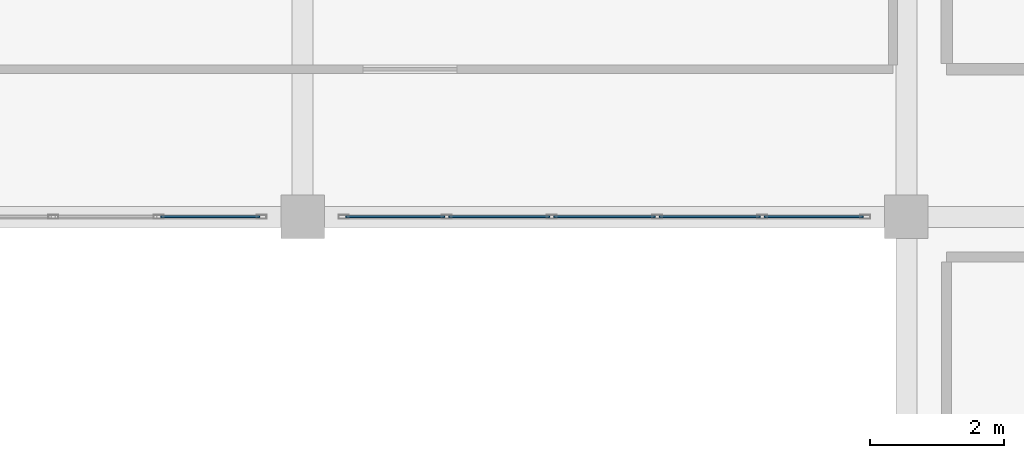
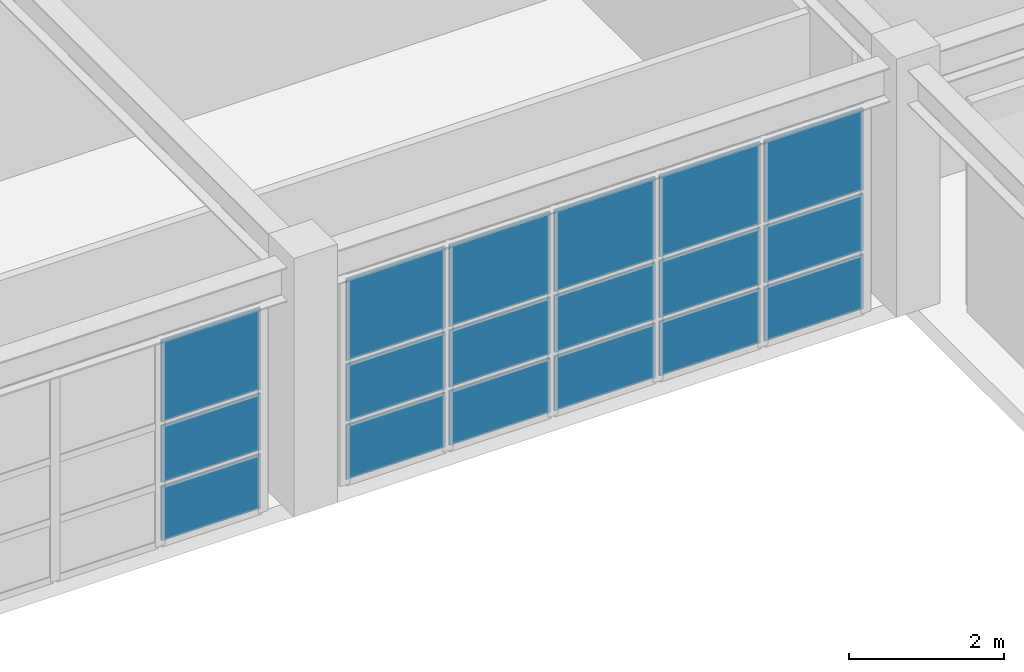
# One storey, part 99 of 130: 18 plates, 2 elements without a shape of their own.
"""IFC4 building model written with IfcOpenShell, lengths in metres."""

from ifc_helpers import new_model, si_unit, direction, frame, origin, origin_2d, place, context, subcontext, project, spatial, rectangle, extrude, material, layer, layer_set, type_object, element, aggregate, save


model = new_model("IFC4")

# Units and contexts
model_context = context("Model", 3, precision=1e-05, world=origin(), true_north=direction((0.0, 1.0)))
body_context = subcontext(model_context, "Body", "Model", "MODEL_VIEW")
ifc_project = project(units=[si_unit("LENGTHUNIT", "METRE"), si_unit("AREAUNIT", "SQUARE_METRE"), si_unit("VOLUMEUNIT", "CUBIC_METRE"), si_unit("PLANEANGLEUNIT", "RADIAN"), si_unit("MASSUNIT", "GRAM", prefix="KILO")], contexts=[model_context])

# Site, building, storey
site_placement = place(None, origin())
site = spatial("IfcSite", under=ifc_project, at=site_placement, CompositionType="ELEMENT")
building_placement = place(site_placement, origin())
building = spatial("IfcBuilding", under=site, at=building_placement, Name="Miravela Opera House", CompositionType="ELEMENT")
storey_placement = place(building_placement, frame((0.0, 0.0, 9.52001953125)))
storey = spatial("IfcBuildingStorey", under=building, at=storey_placement, Name="L02", CompositionType="ELEMENT", Elevation=9.52001953125)

# Curtain wall, plates
ifc_material_1 = material(Name="Anodised architectural bronze aluminium 6063-T6", Category="aluminium")
curtain_wall_type = type_object("IfcCurtainWallType", Name="ARC-CW-05", PredefinedType="NOTDEFINED", material=ifc_material_1)
curtain_wall_1_placement = place(storey_placement, origin())
curtain_wall_1 = element("IfcCurtainWall", 1, at=curtain_wall_1_placement, inside=storey, type_object=curtain_wall_type, Name="Courtyard Arcade Curtain Wall CW-L02-185", PredefinedType="NOTDEFINED")
ifc_material_2 = material(Name="Acoustic laminated low-E insulating glass", Category="glass")
ifc_layer = layer(ifc_material_2, 0.028076171875)
ifc_layer_set = layer_set([ifc_layer])
plate_type = type_object("IfcPlateType", Name="ARC-CWP-28", PredefinedType="CURTAIN_PANEL", material=ifc_layer_set)
plate_1_placement = place(storey_placement, frame((133.62109375, 103.0, 0.06005859375), z_axis=(0.0, 0.0, 1.0), x_axis=(1.0, 0.0, 0.0)))
plate_1 = element("IfcPlate", 2, at=plate_1_placement, type_object=plate_type, Name="CW-05 panel 5.1", PredefinedType="CURTAIN_PANEL", context=body_context, shape_type="SweptSolid", body=[
    extrude(rectangle(XDim=1.47802734375, YDim=0.028076171875, at=origin_2d()), origin(), (0.0, 0.0, 1.0), 0.860107421875),
])
plate_2_placement = place(storey_placement, frame((133.62109375, 103.0, 0.97998046875), z_axis=(0.0, 0.0, 1.0), x_axis=(1.0, 0.0, 0.0)))
plate_2 = element("IfcPlate", 3, at=plate_2_placement, type_object=plate_type, Name="CW-05 panel 5.2", PredefinedType="CURTAIN_PANEL", context=body_context, shape_type="SweptSolid", body=[
    extrude(rectangle(XDim=1.47802734375, YDim=0.028076171875, at=origin_2d()), origin(), (0.0, 0.0, 1.0), 0.898193359375),
])
plate_3_placement = place(storey_placement, frame((133.62109375, 103.0, 1.93798828125), z_axis=(0.0, 0.0, 1.0), x_axis=(1.0, 0.0, 0.0)))
plate_3 = element("IfcPlate", 4, at=plate_3_placement, type_object=plate_type, Name="CW-05 panel 5.3", PredefinedType="CURTAIN_PANEL", context=body_context, shape_type="SweptSolid", body=[
    extrude(rectangle(XDim=1.47802734375, YDim=0.028076171875, at=origin_2d()), origin(), (0.0, 0.0, 1.0), 1.291748046875),
])
aggregate(curtain_wall_1, [plate_1, plate_2, plate_3])

curtain_wall_2_placement = place(storey_placement, origin())
curtain_wall_2 = element("IfcCurtainWall", 5, at=curtain_wall_2_placement, inside=storey, type_object=curtain_wall_type, Name="Courtyard Arcade Curtain Wall CW-L02-189", PredefinedType="NOTDEFINED")
plate_4_placement = place(storey_placement, frame((136.37890625, 103.0, 0.06005859375), z_axis=(0.0, 0.0, 1.0), x_axis=(1.0, 0.0, 0.0)))
plate_4 = element("IfcPlate", 6, at=plate_4_placement, type_object=plate_type, Name="CW-05 panel 1.1", PredefinedType="CURTAIN_PANEL", context=body_context, shape_type="SweptSolid", body=[
    extrude(rectangle(XDim=1.47802734375, YDim=0.028076171875, at=origin_2d()), origin(), (0.0, 0.0, 1.0), 0.860107421875),
])
plate_5_placement = place(storey_placement, frame((136.37890625, 103.0, 0.97998046875), z_axis=(0.0, 0.0, 1.0), x_axis=(1.0, 0.0, 0.0)))
plate_5 = element("IfcPlate", 7, at=plate_5_placement, type_object=plate_type, Name="CW-05 panel 1.2", PredefinedType="CURTAIN_PANEL", context=body_context, shape_type="SweptSolid", body=[
    extrude(rectangle(XDim=1.47802734375, YDim=0.028076171875, at=origin_2d()), origin(), (0.0, 0.0, 1.0), 0.898193359375),
])
plate_6_placement = place(storey_placement, frame((136.37890625, 103.0, 1.93798828125), z_axis=(0.0, 0.0, 1.0), x_axis=(1.0, 0.0, 0.0)))
plate_6 = element("IfcPlate", 8, at=plate_6_placement, type_object=plate_type, Name="CW-05 panel 1.3", PredefinedType="CURTAIN_PANEL", context=body_context, shape_type="SweptSolid", body=[
    extrude(rectangle(XDim=1.47802734375, YDim=0.028076171875, at=origin_2d()), origin(), (0.0, 0.0, 1.0), 1.291748046875),
])
plate_7_placement = place(storey_placement, frame((137.931884765625, 103.0, 0.06005859375), z_axis=(0.0, 0.0, 1.0), x_axis=(1.0, 0.0, 0.0)))
plate_7 = element("IfcPlate", 9, at=plate_7_placement, type_object=plate_type, Name="CW-05 panel 2.1", PredefinedType="CURTAIN_PANEL", context=body_context, shape_type="SweptSolid", body=[
    extrude(rectangle(XDim=1.508056640625, YDim=0.028076171875, at=origin_2d()), origin(), (0.0, 0.0, 1.0), 0.860107421875),
])
plate_8_placement = place(storey_placement, frame((137.931884765625, 103.0, 0.97998046875), z_axis=(0.0, 0.0, 1.0), x_axis=(1.0, 0.0, 0.0)))
plate_8 = element("IfcPlate", 10, at=plate_8_placement, type_object=plate_type, Name="CW-05 panel 2.2", PredefinedType="CURTAIN_PANEL", context=body_context, shape_type="SweptSolid", body=[
    extrude(rectangle(XDim=1.508056640625, YDim=0.028076171875, at=origin_2d()), origin(), (0.0, 0.0, 1.0), 0.898193359375),
])
plate_9_placement = place(storey_placement, frame((137.931884765625, 103.0, 1.93798828125), z_axis=(0.0, 0.0, 1.0), x_axis=(1.0, 0.0, 0.0)))
plate_9 = element("IfcPlate", 11, at=plate_9_placement, type_object=plate_type, Name="CW-05 panel 2.3", PredefinedType="CURTAIN_PANEL", context=body_context, shape_type="SweptSolid", body=[
    extrude(rectangle(XDim=1.508056640625, YDim=0.028076171875, at=origin_2d()), origin(), (0.0, 0.0, 1.0), 1.291748046875),
])
plate_10_placement = place(storey_placement, frame((139.5, 103.0, 0.06005859375), z_axis=(0.0, 0.0, 1.0), x_axis=(1.0, 0.0, 0.0)))
plate_10 = element("IfcPlate", 12, at=plate_10_placement, type_object=plate_type, Name="CW-05 panel 3.1", PredefinedType="CURTAIN_PANEL", context=body_context, shape_type="SweptSolid", body=[
    extrude(rectangle(XDim=1.508056640625, YDim=0.028076171875, at=origin_2d()), origin(), (0.0, 0.0, 1.0), 0.860107421875),
])
plate_11_placement = place(storey_placement, frame((139.5, 103.0, 0.97998046875), z_axis=(0.0, 0.0, 1.0), x_axis=(1.0, 0.0, 0.0)))
plate_11 = element("IfcPlate", 13, at=plate_11_placement, type_object=plate_type, Name="CW-05 panel 3.2", PredefinedType="CURTAIN_PANEL", context=body_context, shape_type="SweptSolid", body=[
    extrude(rectangle(XDim=1.508056640625, YDim=0.028076171875, at=origin_2d()), origin(), (0.0, 0.0, 1.0), 0.898193359375),
])
plate_12_placement = place(storey_placement, frame((139.5, 103.0, 1.93798828125), z_axis=(0.0, 0.0, 1.0), x_axis=(1.0, 0.0, 0.0)))
plate_12 = element("IfcPlate", 14, at=plate_12_placement, type_object=plate_type, Name="CW-05 panel 3.3", PredefinedType="CURTAIN_PANEL", context=body_context, shape_type="SweptSolid", body=[
    extrude(rectangle(XDim=1.508056640625, YDim=0.028076171875, at=origin_2d()), origin(), (0.0, 0.0, 1.0), 1.291748046875),
])
plate_13_placement = place(storey_placement, frame((141.068115234375, 103.0, 0.06005859375), z_axis=(0.0, 0.0, 1.0), x_axis=(1.0, 0.0, 0.0)))
plate_13 = element("IfcPlate", 15, at=plate_13_placement, type_object=plate_type, Name="CW-05 panel 4.1", PredefinedType="CURTAIN_PANEL", context=body_context, shape_type="SweptSolid", body=[
    extrude(rectangle(XDim=1.508056640625, YDim=0.028076171875, at=origin_2d()), origin(), (0.0, 0.0, 1.0), 0.860107421875),
])
plate_14_placement = place(storey_placement, frame((141.068115234375, 103.0, 0.97998046875), z_axis=(0.0, 0.0, 1.0), x_axis=(1.0, 0.0, 0.0)))
plate_14 = element("IfcPlate", 16, at=plate_14_placement, type_object=plate_type, Name="CW-05 panel 4.2", PredefinedType="CURTAIN_PANEL", context=body_context, shape_type="SweptSolid", body=[
    extrude(rectangle(XDim=1.508056640625, YDim=0.028076171875, at=origin_2d()), origin(), (0.0, 0.0, 1.0), 0.898193359375),
])
plate_15_placement = place(storey_placement, frame((141.068115234375, 103.0, 1.93798828125), z_axis=(0.0, 0.0, 1.0), x_axis=(1.0, 0.0, 0.0)))
plate_15 = element("IfcPlate", 17, at=plate_15_placement, type_object=plate_type, Name="CW-05 panel 4.3", PredefinedType="CURTAIN_PANEL", context=body_context, shape_type="SweptSolid", body=[
    extrude(rectangle(XDim=1.508056640625, YDim=0.028076171875, at=origin_2d()), origin(), (0.0, 0.0, 1.0), 1.291748046875),
])
plate_16_placement = place(storey_placement, frame((142.62109375, 103.0, 0.06005859375), z_axis=(0.0, 0.0, 1.0), x_axis=(1.0, 0.0, 0.0)))
plate_16 = element("IfcPlate", 18, at=plate_16_placement, type_object=plate_type, Name="CW-05 panel 5.1", PredefinedType="CURTAIN_PANEL", context=body_context, shape_type="SweptSolid", body=[
    extrude(rectangle(XDim=1.47802734375, YDim=0.028076171875, at=origin_2d()), origin(), (0.0, 0.0, 1.0), 0.860107421875),
])
plate_17_placement = place(storey_placement, frame((142.62109375, 103.0, 0.97998046875), z_axis=(0.0, 0.0, 1.0), x_axis=(1.0, 0.0, 0.0)))
plate_17 = element("IfcPlate", 19, at=plate_17_placement, type_object=plate_type, Name="CW-05 panel 5.2", PredefinedType="CURTAIN_PANEL", context=body_context, shape_type="SweptSolid", body=[
    extrude(rectangle(XDim=1.47802734375, YDim=0.028076171875, at=origin_2d()), origin(), (0.0, 0.0, 1.0), 0.898193359375),
])
plate_18_placement = place(storey_placement, frame((142.62109375, 103.0, 1.93798828125), z_axis=(0.0, 0.0, 1.0), x_axis=(1.0, 0.0, 0.0)))
plate_18 = element("IfcPlate", 20, at=plate_18_placement, type_object=plate_type, Name="CW-05 panel 5.3", PredefinedType="CURTAIN_PANEL", context=body_context, shape_type="SweptSolid", body=[
    extrude(rectangle(XDim=1.47802734375, YDim=0.028076171875, at=origin_2d()), origin(), (0.0, 0.0, 1.0), 1.291748046875),
])
aggregate(curtain_wall_2, [plate_4, plate_5, plate_6, plate_7, plate_8, plate_9, plate_10, plate_11, plate_12, plate_13, plate_14, plate_15, plate_16, plate_17, plate_18])

save(model, "model.ifc")
